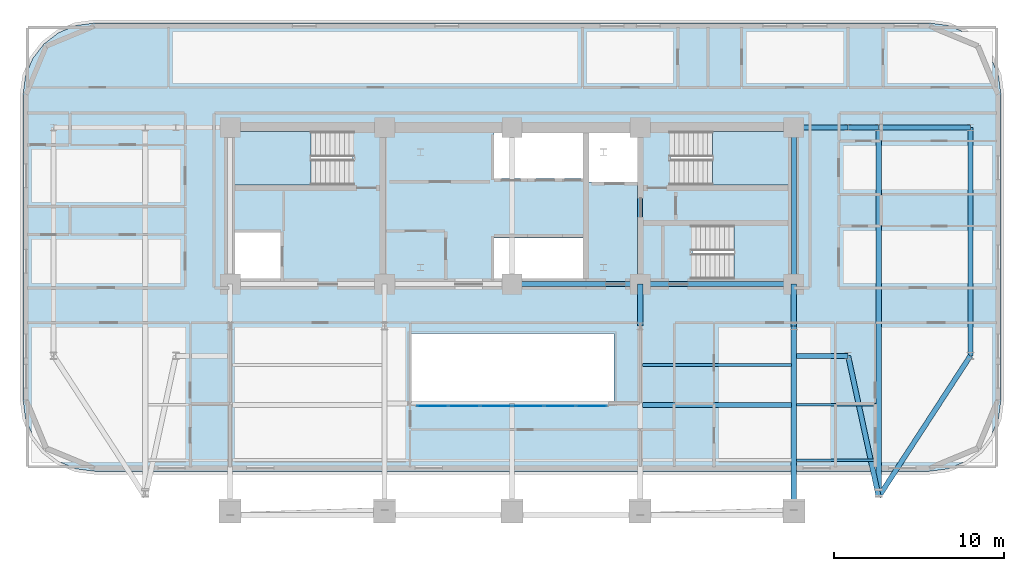
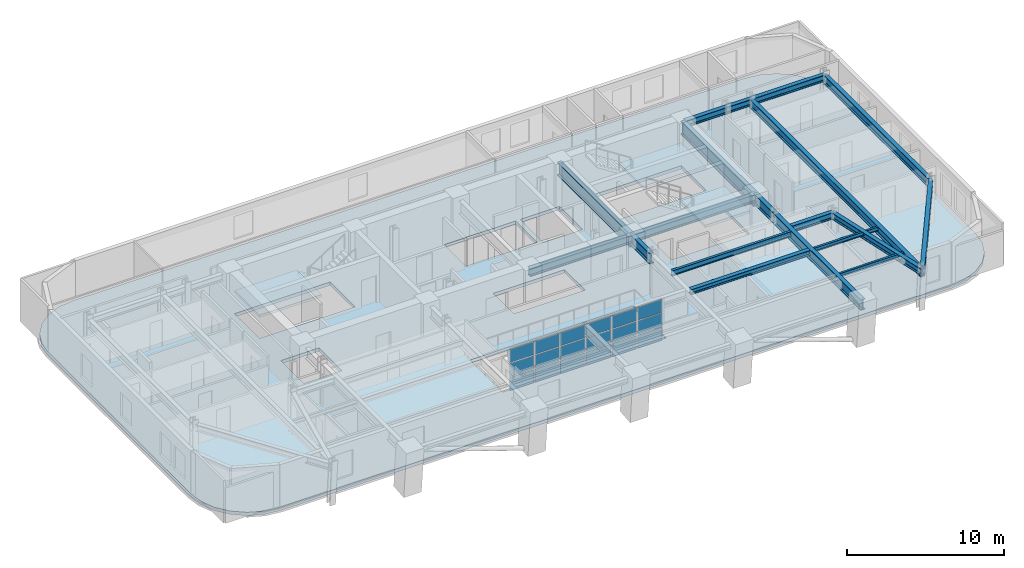
# One storey, part 5 of 14: 19 beams, 18 plates, 4 slabs, 4 elements without a shape of their own.
"""IFC4 building model written with IfcOpenShell, lengths in metres."""

import ifcopenshell
import ifcopenshell.guid

model = None  # the IFC model being written
_history = None  # IfcOwnerHistory: only IFC2X3 demands one
_inside = {}  # id of a spatial element -> (the spatial element, [elements in it])
_under = {}  # id of a project, library or spatial element -> (it, [spatial elements below it])
_declared = {}  # id of a project -> (the project, [libraries it declares])
_typed = {}  # id of a type object -> (the type object, [elements of that type])
_made_of = {}  # id of a material, layer set ... -> (it, [elements and type objects made of it])


def new_model(schema):
    """Start an empty IFC model of exactly this schema.

    Asked for "IFC4X3", IfcOpenShell would pick the latest addendum, in which some entities
    have other attributes; the version numbers below select the first issue.
    IFC2X3 requires an IfcOwnerHistory on every rooted entity: one is made here for all.
    """
    global model, _history
    if schema == "IFC4X3":
        model = ifcopenshell.file(schema_version=(4, 3, 0, 0))
    else:
        model = ifcopenshell.file(schema=schema)
    _inside.clear()
    _under.clear()
    _declared.clear()
    _typed.clear()
    _made_of.clear()
    _history = None
    if model.schema == "IFC2X3":
        org = make("IfcOrganization", Name="unknown")
        user = make(
            "IfcPersonAndOrganization",
            ThePerson=make("IfcPerson", FamilyName="unknown"),
            TheOrganization=org,
        )
        app = make(
            "IfcApplication",
            ApplicationDeveloper=org,
            Version="unknown",
            ApplicationFullName="unknown",
            ApplicationIdentifier="unknown",
        )
        _history = make(
            "IfcOwnerHistory",
            OwningUser=user,
            OwningApplication=app,
            ChangeAction="ADDED",
            CreationDate=0,
        )
    return model


def make(cls, **values):
    """One entity of the class cls with the attributes given. An attribute that is None is left unset."""
    return model.create_entity(
        cls, **{name: value for name, value in values.items() if value is not None}
    )


def rooted(cls, **values):
    """An entity with a GlobalId (a new one), such as an element, a storey or a relation."""
    return make(cls, GlobalId=ifcopenshell.guid.new(), OwnerHistory=_history, **values)


def si_unit(unit_type, name, prefix=None):
    """IfcSIUnit, for example si_unit("LENGTHUNIT", "METRE", prefix="MILLI")."""
    return make("IfcSIUnit", UnitType=unit_type, Prefix=prefix, Name=name)


def assignment(units):
    """IfcUnitAssignment: the units of a project."""
    return None if units is None else make("IfcUnitAssignment", Units=units)


def point(xyz):
    """IfcCartesianPoint."""
    return None if xyz is None else make("IfcCartesianPoint", Coordinates=xyz)


def direction(xyz):
    """IfcDirection."""
    return None if xyz is None else make("IfcDirection", DirectionRatios=xyz)


def frame(location, z_axis=None, x_axis=None):
    """IfcAxis2Placement3D, a coordinate frame: its origin and axes. An axis left out is left unset."""
    return make(
        "IfcAxis2Placement3D",
        Location=point(location),
        Axis=direction(z_axis),
        RefDirection=direction(x_axis),
    )


def frame_2d(location, x_axis=None):
    """IfcAxis2Placement2D, a coordinate frame in the plane: its origin and x axis."""
    return make(
        "IfcAxis2Placement2D", Location=point(location), RefDirection=direction(x_axis)
    )


def origin():
    """The frame at (0, 0, 0) with its axes left unset."""
    return frame((0.0, 0.0, 0.0))


def origin_2d():
    """The frame at (0, 0) in the plane with its x axis left unset."""
    return frame_2d((0.0, 0.0))


def place(relative_to, where):
    """IfcLocalPlacement: puts the frame where relative to a parent placement (None: the world)."""
    return make(
        "IfcLocalPlacement", PlacementRelTo=relative_to, RelativePlacement=where
    )


def context(
    kind, dimensions, precision=None, world=None, true_north=None, identifier=None
):
    """IfcGeometricRepresentationContext, for example the 3D "Model" context."""
    return make(
        "IfcGeometricRepresentationContext",
        ContextIdentifier=identifier,
        ContextType=kind,
        CoordinateSpaceDimension=dimensions,
        Precision=precision,
        WorldCoordinateSystem=world,
        TrueNorth=true_north,
    )


def subcontext(parent, identifier, kind, view, scale=None):
    """IfcGeometricRepresentationSubContext, for example "Body" below "Model"."""
    return make(
        "IfcGeometricRepresentationSubContext",
        ContextIdentifier=identifier,
        ContextType=kind,
        ParentContext=parent,
        TargetScale=scale,
        TargetView=view,
    )


def project(units=None, contexts=None):
    """IfcProject with its units and contexts."""
    return rooted(
        "IfcProject",
        Name="project",
        RepresentationContexts=contexts,
        UnitsInContext=assignment(units),
    )


def spatial(cls, under=None, at=None, **own):
    """A site, building, storey or space (cls), placed at a placement, below another one or the project."""
    s = rooted(cls, ObjectPlacement=at, **own)
    if under is not None:
        _under.setdefault(under.id(), (under, []))[1].append(s)
    return s


def polyline(points):
    """IfcPolyline through the points."""
    return make("IfcPolyline", Points=[point(p) for p in points])


def profile(cls, at=None, kind="AREA", **sizes):
    """A parametric profile (cls). Its sizes go by their IFC names, for example OverallWidth=200.0."""
    return make(cls, ProfileType=kind, Position=at, **sizes)


def rectangle(**sizes):
    """IfcRectangleProfileDef."""
    return profile("IfcRectangleProfileDef", **sizes)


def i_section(**sizes):
    """IfcIShapeProfileDef."""
    return profile("IfcIShapeProfileDef", **sizes)


def outline(outer, holes=None, kind="AREA"):
    """IfcArbitraryClosedProfileDef: a profile drawn as a closed curve; with holes, ...WithVoids."""
    if holes is None:
        return make("IfcArbitraryClosedProfileDef", ProfileType=kind, OuterCurve=outer)
    return make(
        "IfcArbitraryProfileDefWithVoids",
        ProfileType=kind,
        OuterCurve=outer,
        InnerCurves=holes,
    )


def extrude(swept, where, along, depth):
    """IfcExtrudedAreaSolid: the profile swept, set in the frame where, extruded along a direction by depth."""
    return make(
        "IfcExtrudedAreaSolid",
        SweptArea=swept,
        Position=where,
        ExtrudedDirection=direction(along),
        Depth=depth,
    )


def shape(context_of_items, identifier, shape_type, items):
    """IfcShapeRepresentation: the items that make up one representation, for example the "Body"."""
    return make(
        "IfcShapeRepresentation",
        ContextOfItems=context_of_items,
        RepresentationIdentifier=identifier,
        RepresentationType=shape_type,
        Items=items,
    )


def material(Name=None, Category=None):
    """IfcMaterial."""
    return make("IfcMaterial", Name=Name, Category=Category)


def layer(
    of_material, thickness, ventilated=None, Name=None, Category=None, Priority=None
):
    """IfcMaterialLayer: one layer of a wall or slab, of a material (None: an air gap)."""
    return make(
        "IfcMaterialLayer",
        Material=of_material,
        LayerThickness=thickness,
        IsVentilated=ventilated,
        Name=Name,
        Category=Category,
        Priority=Priority,
    )


def layer_set(layers, Name=None):
    """IfcMaterialLayerSet."""
    return make("IfcMaterialLayerSet", MaterialLayers=layers, LayerSetName=Name)


def material_profile(
    of_material, cross_section, Name=None, Category=None, Priority=None
):
    """IfcMaterialProfile: a cross section and its material."""
    return make(
        "IfcMaterialProfile",
        Name=Name,
        Material=of_material,
        Profile=cross_section,
        Priority=Priority,
        Category=Category,
    )


def profile_set(profiles, Name=None, composite=None):
    """IfcMaterialProfileSet."""
    return make(
        "IfcMaterialProfileSet",
        Name=Name,
        MaterialProfiles=profiles,
        CompositeProfile=composite,
    )


def made_of(thing, what):
    """Note that an element or type object is made of a material, layer set ...; save() writes the relation."""
    if what is not None:
        _made_of.setdefault(what.id(), (what, []))[1].append(thing)
    return thing


def type_object(cls, material=None, **own):
    """A type object (cls), such as IfcWallType, which elements share."""
    return made_of(rooted(cls, **own), material)


def element(
    cls,
    number,
    at=None,
    inside=None,
    cuts=None,
    type_object=None,
    material=None,
    context=None,
    identifier="Body",
    shape_type=None,
    held_by="IfcProductDefinitionShape",
    body=None,
    shapes=None,
    **own,
):
    """One element of the class cls, such as IfcWall. Its Tag is "e" and its number.

    at: its placement. inside: the storey or other place that contains it. cuts: it is an
    opening in that element (IfcRelVoidsElement). A single representation is given by context,
    identifier, shape_type and body (its items); several are given by shapes. held_by: the class
    of the entity that holds the representations. save() writes the other relations.
    """
    e = rooted(cls, Tag="e%d" % number, ObjectPlacement=at, **own)
    if body is not None:
        shapes = [shape(context, identifier, shape_type, body)]
    if shapes is not None:
        e.Representation = make(held_by, Representations=shapes)
    if inside is not None:
        _inside.setdefault(inside.id(), (inside, []))[1].append(e)
    if cuts is not None:
        rooted(
            "IfcRelVoidsElement", RelatingBuildingElement=cuts, RelatedOpeningElement=e
        )
    if type_object is not None:
        _typed.setdefault(type_object.id(), (type_object, []))[1].append(e)
    return made_of(e, material)


def aggregate(whole, parts):
    """IfcRelAggregates: a whole, such as a stair, and the parts it consists of."""
    return rooted("IfcRelAggregates", RelatingObject=whole, RelatedObjects=parts)


def save(model, path):
    """Write the relations noted so far, then the file.

    IfcRelAggregates (storeys below a building ...), IfcRelContainedInSpatialStructure (elements
    in a storey), IfcRelDefinesByType, IfcRelAssociatesMaterial and IfcRelDeclares: one each for
    every whole, place, type object, material and project.
    """
    for whole, parts in _under.values():
        aggregate(whole, parts)
    for where, things in _inside.values():
        rooted(
            "IfcRelContainedInSpatialStructure",
            RelatedElements=things,
            RelatingStructure=where,
        )
    for kind, things in _typed.values():
        rooted("IfcRelDefinesByType", RelatedObjects=things, RelatingType=kind)
    for what, things in _made_of.values():
        rooted("IfcRelAssociatesMaterial", RelatedObjects=things, RelatingMaterial=what)
    for by, libraries in _declared.values():
        rooted("IfcRelDeclares", RelatingContext=by, RelatedDefinitions=libraries)
    model.write(path)


model = new_model("IFC4")

# Units and contexts
model_context = context("Model", 3, precision=1e-05, world=origin(), true_north=direction((0.0, 1.0)))
body_context = subcontext(model_context, "Body", "Model", "MODEL_VIEW")
ifc_project = project(units=[si_unit("LENGTHUNIT", "METRE"), si_unit("AREAUNIT", "SQUARE_METRE"), si_unit("VOLUMEUNIT", "CUBIC_METRE"), si_unit("PLANEANGLEUNIT", "RADIAN"), si_unit("MASSUNIT", "GRAM", prefix="KILO")], contexts=[model_context])

# Site, building, storey
site_placement = place(None, origin())
site = spatial("IfcSite", under=ifc_project, at=site_placement, CompositionType="ELEMENT")
building_placement = place(site_placement, origin())
building = spatial("IfcBuilding", under=site, at=building_placement, Name="Zarnavel Station Tower", CompositionType="ELEMENT")
storey_placement = place(building_placement, frame((0.0, 0.0, 129.300048828125)))
storey = spatial("IfcBuildingStorey", under=building, at=storey_placement, Name="L35", CompositionType="ELEMENT", Elevation=129.300048828125)

# Beams
ifc_material_1 = material(Name="Steel S355J2", Category="steel")
ifc_material_profile_1 = material_profile(ifc_material_1, i_section(OverallWidth=0.300048828125, OverallDepth=0.389892578125, WebThickness=0.010986328125, FlangeThickness=0.01904296875, FilletRadius=0.027099609375, at=origin_2d()), Name="HEA400")
ifc_profile_set_1 = profile_set([ifc_material_profile_1], Name="Steel S355J2")
beam_type_1 = type_object("IfcBeamType", Name="FB_HEA400", PredefinedType="BEAM", material=ifc_profile_set_1)
beam_1_placement = place(storey_placement, frame((36.4951171875, 20.706787109375, 3.0849609375), z_axis=(1.0, 0.0, 0.0), x_axis=(0.0, 1.0, 0.0)))
element("IfcBeam", 1, at=beam_1_placement, inside=storey, type_object=beam_type_1, Name="L35 East Bay Beam 2", PredefinedType="BEAM", context=body_context, shape_type="SweptSolid", body=[
    extrude(i_section(OverallWidth=0.300048828125, OverallDepth=0.389892578125, WebThickness=0.010986328125, FlangeThickness=0.01904296875, FilletRadius=0.027099609375, at=origin_2d()), origin(), (0.0, 0.0, 1.0), 8.759765625),
])
ifc_material_2 = material(Name="Steel S355J2", Category="steel")
ifc_material_profile_2 = material_profile(ifc_material_2, i_section(OverallWidth=0.179931640625, OverallDepth=0.39990234375, WebThickness=0.008544921875, FlangeThickness=0.013427734375, FilletRadius=0.02099609375, at=origin_2d()), Name="IPE400")
ifc_profile_set_2 = profile_set([ifc_material_profile_2], Name="Steel S355J2")
beam_type_2 = type_object("IfcBeamType", Name="FB_IPE400", PredefinedType="BEAM", material=ifc_profile_set_2)
beam_2_placement = place(storey_placement, frame((36.4951171875, 23.053466796875, 3.079833984375), z_axis=(1.0, 0.0, 0.0), x_axis=(0.0, 1.0, 0.0)))
element("IfcBeam", 2, at=beam_2_placement, inside=storey, type_object=beam_type_2, Name="L35 East Bay Beam 3", PredefinedType="BEAM", context=body_context, shape_type="SweptSolid", body=[
    extrude(i_section(OverallWidth=0.179931640625, OverallDepth=0.39990234375, WebThickness=0.008544921875, FlangeThickness=0.013427734375, FilletRadius=0.02099609375, at=origin_2d()), origin(), (0.0, 0.0, 1.0), 8.759765625),
])
ifc_material_3 = material(Name="Steel S355J2", Category="steel")
ifc_material_profile_3 = material_profile(ifc_material_3, i_section(OverallWidth=0.300048828125, OverallDepth=0.5, WebThickness=0.014404296875, FlangeThickness=0.028076171875, FilletRadius=0.027099609375, at=origin_2d()), Name="HEB500")
ifc_profile_set_3 = profile_set([ifc_material_profile_3], Name="Steel S355J2")
beam_type_3 = type_object("IfcBeamType", Name="FG_HEB500", PredefinedType="USERDEFINED", material=ifc_profile_set_3)
for number, where, z_axis, x_axis, name in (
    (3, (45.544921875, 23.60009765625, 3.030029296875), (1.0, 0.0, 0.0), (0.0, 1.0, 0.0), "L35 East Wing South Tie 1"),
    (4, (45.544921875, 37.050048828125, 3.030029296875), (1.0, 0.0, 0.0), (0.0, 1.0, 0.0), "L35 East Wing North Tie 1"),
):
    element("IfcBeam", number, at=place(storey_placement, frame(where, z_axis=z_axis, x_axis=x_axis)), inside=storey, type_object=beam_type_3, Name=name, ObjectType="GIRDER", PredefinedType="USERDEFINED", context=body_context, shape_type="SweptSolid", body=[
        extrude(i_section(OverallWidth=0.300048828125, OverallDepth=0.5, WebThickness=0.014404296875, FlangeThickness=0.028076171875, FilletRadius=0.027099609375, at=origin_2d()), origin(), (0.0, 0.0, 1.0), 3.05517578125),
    ])
beam_3_placement = place(storey_placement, frame((48.60009765625, 23.60009765625, 3.030029296875), z_axis=(0.211870012881, -0.97729785513, 0.0), x_axis=(0.97729785513, 0.211870012881, 0.0)))
element("IfcBeam", 5, at=beam_3_placement, inside=storey, type_object=beam_type_3, Name="L35 East Wing South Tie 2", ObjectType="GIRDER", PredefinedType="USERDEFINED", context=body_context, shape_type="SweptSolid", body=[
    extrude(i_section(OverallWidth=0.300048828125, OverallDepth=0.5, WebThickness=0.014404296875, FlangeThickness=0.028076171875, FilletRadius=0.027099609375, at=origin_2d()), origin(), (0.0, 0.0, 1.0), 8.494873046875),
])
beam_4_placement = place(storey_placement, frame((48.60009765625, 37.050048828125, 3.030029296875), z_axis=(1.0, 0.0, 0.0), x_axis=(0.0, 1.0, 0.0)))
element("IfcBeam", 6, at=beam_4_placement, inside=storey, type_object=beam_type_3, Name="L35 East Wing North Tie 2", ObjectType="GIRDER", PredefinedType="USERDEFINED", context=body_context, shape_type="SweptSolid", body=[
    extrude(i_section(OverallWidth=0.300048828125, OverallDepth=0.5, WebThickness=0.014404296875, FlangeThickness=0.028076171875, FilletRadius=0.027099609375, at=origin_2d()), origin(), (0.0, 0.0, 1.0), 1.7998046875),
])
beam_5_placement = place(storey_placement, frame((50.39990234375, 15.298095703125, 3.030029296875), z_axis=(0.545261261877, 0.838266160773, 0.0), x_axis=(-0.838266160773, 0.545261261877, 0.0)))
element("IfcBeam", 7, at=beam_5_placement, inside=storey, type_object=beam_type_3, Name="L35 East Wing South Tie 3", ObjectType="GIRDER", PredefinedType="USERDEFINED", context=body_context, shape_type="SweptSolid", body=[
    extrude(i_section(OverallWidth=0.300048828125, OverallDepth=0.5, WebThickness=0.014404296875, FlangeThickness=0.028076171875, FilletRadius=0.027099609375, at=origin_2d()), origin(), (0.0, 0.0, 1.0), 9.90380859375),
])
beam_6_placement = place(storey_placement, frame((50.39990234375, 37.050048828125, 3.030029296875), z_axis=(1.0, 0.0, 0.0), x_axis=(0.0, 1.0, 0.0)))
element("IfcBeam", 8, at=beam_6_placement, inside=storey, type_object=beam_type_3, Name="L35 East Wing North Tie 3", ObjectType="GIRDER", PredefinedType="USERDEFINED", context=body_context, shape_type="SweptSolid", body=[
    extrude(i_section(OverallWidth=0.300048828125, OverallDepth=0.5, WebThickness=0.014404296875, FlangeThickness=0.028076171875, FilletRadius=0.027099609375, at=origin_2d()), origin(), (0.0, 0.0, 1.0), 5.400146484375),
])
ifc_material_4 = material(Name="Steel S355J2", Category="steel")
ifc_material_profile_4 = material_profile(ifc_material_4, i_section(OverallWidth=0.300048828125, OverallDepth=0.60009765625, WebThickness=0.015380859375, FlangeThickness=0.030029296875, FilletRadius=0.027099609375, at=origin_2d()), Name="HEB600")
ifc_profile_set_4 = profile_set([ifc_material_profile_4], Name="Steel S355J2")
beam_type_4 = type_object("IfcBeamType", Name="FG_HEB600", PredefinedType="USERDEFINED", material=ifc_profile_set_4)
beam_7_placement = place(storey_placement, frame((28.800048828125, 27.820068359375, 2.97998046875), z_axis=(1.0, 0.0, 0.0), x_axis=(0.0, 1.0, 0.0)))
element("IfcBeam", 9, at=beam_7_placement, inside=storey, type_object=beam_type_4, Name="L35 Core Front Coupling Beam 3", ObjectType="GIRDER", PredefinedType="USERDEFINED", context=body_context, shape_type="SweptSolid", body=[
    extrude(i_section(OverallWidth=0.300048828125, OverallDepth=0.60009765625, WebThickness=0.015380859375, FlangeThickness=0.030029296875, FilletRadius=0.027099609375, at=origin_2d()), origin(), (0.0, 0.0, 1.0), 7.550048828125),
])
beam_8_placement = place(storey_placement, frame((36.35009765625, 27.820068359375, 2.97998046875), z_axis=(1.0, 0.0, 0.0), x_axis=(0.0, 1.0, 0.0)))
element("IfcBeam", 10, at=beam_8_placement, inside=storey, type_object=beam_type_4, Name="L35 Core Front Coupling Beam 4", ObjectType="GIRDER", PredefinedType="USERDEFINED", context=body_context, shape_type="SweptSolid", body=[
    extrude(i_section(OverallWidth=0.300048828125, OverallDepth=0.60009765625, WebThickness=0.015380859375, FlangeThickness=0.030029296875, FilletRadius=0.027099609375, at=origin_2d()), origin(), (0.0, 0.0, 1.0), 9.0498046875),
])
ifc_material_5 = material(Name="Steel S355J2", Category="steel")
ifc_material_profile_5 = material_profile(ifc_material_5, i_section(OverallWidth=0.300048828125, OverallDepth=0.64990234375, WebThickness=0.01611328125, FlangeThickness=0.031005859375, FilletRadius=0.027099609375, at=origin_2d()), Name="HEB650")
ifc_profile_set_5 = profile_set([ifc_material_profile_5], Name="Steel S355J2")
beam_type_5 = type_object("IfcBeamType", Name="FG_HEB650", PredefinedType="USERDEFINED", material=ifc_profile_set_5)
beam_9_placement = place(storey_placement, frame((50.39990234375, 15.298095703125, 2.954833984375), z_axis=(0.0, 1.0, 0.0), x_axis=(-1.0, 0.0, 0.0)))
element("IfcBeam", 11, at=beam_9_placement, inside=storey, type_object=beam_type_5, Name="L35 Wing NS Girder 3", ObjectType="GIRDER", PredefinedType="USERDEFINED", context=body_context, shape_type="SweptSolid", body=[
    extrude(i_section(OverallWidth=0.300048828125, OverallDepth=0.64990234375, WebThickness=0.01611328125, FlangeThickness=0.031005859375, FilletRadius=0.027099609375, at=origin_2d()), origin(), (0.0, 0.0, 1.0), 21.751953125),
])
beam_10_placement = place(storey_placement, frame((55.800048828125, 23.60009765625, 2.954833984375), z_axis=(0.0, 1.0, 0.0), x_axis=(-1.0, 0.0, 0.0)))
element("IfcBeam", 12, at=beam_10_placement, inside=storey, type_object=beam_type_5, Name="L35 Wing NS Girder 4", ObjectType="GIRDER", PredefinedType="USERDEFINED", context=body_context, shape_type="SweptSolid", body=[
    extrude(i_section(OverallWidth=0.300048828125, OverallDepth=0.64990234375, WebThickness=0.01611328125, FlangeThickness=0.031005859375, FilletRadius=0.027099609375, at=origin_2d()), origin(), (0.0, 0.0, 1.0), 13.449951171875),
])
ifc_material_6 = material(Name="Steel S460M", Category="steel")
ifc_material_profile_6 = material_profile(ifc_material_6, i_section(OverallWidth=0.302978515625, OverallDepth=0.81396484375, WebThickness=0.02099609375, FlangeThickness=0.0400390625, FilletRadius=0.030029296875, at=origin_2d()), Name="HEM800")
ifc_profile_set_6 = profile_set([ifc_material_profile_6], Name="Steel S460M")
beam_type_6 = type_object("IfcBeamType", Name="FG_HEM800", PredefinedType="USERDEFINED", material=ifc_profile_set_6)
beam_11_placement = place(storey_placement, frame((36.35009765625, 25.35009765625, 2.873046875), z_axis=(0.0, 1.0, 0.0), x_axis=(-1.0, 0.0, 0.0)))
element("IfcBeam", 13, at=beam_11_placement, inside=storey, type_object=beam_type_6, Name="L35 Inner-Zone NS Girder 4", ObjectType="GIRDER", PredefinedType="USERDEFINED", context=body_context, shape_type="SweptSolid", body=[
    extrude(i_section(OverallWidth=0.302978515625, OverallDepth=0.81396484375, WebThickness=0.02099609375, FlangeThickness=0.0400390625, FilletRadius=0.030029296875, at=origin_2d()), origin(), (0.0, 0.0, 1.0), 2.469970703125),
])
beam_12_placement = place(storey_placement, frame((45.39990234375, 14.213623046875, 2.873046875), z_axis=(0.0, 1.0, 0.0), x_axis=(-1.0, 0.0, 0.0)))
element("IfcBeam", 14, at=beam_12_placement, inside=storey, type_object=beam_type_6, Name="L35 South-Zone NS Girder 5", ObjectType="GIRDER", PredefinedType="USERDEFINED", context=body_context, shape_type="SweptSolid", body=[
    extrude(i_section(OverallWidth=0.302978515625, OverallDepth=0.81396484375, WebThickness=0.02099609375, FlangeThickness=0.0400390625, FilletRadius=0.030029296875, at=origin_2d()), origin(), (0.0, 0.0, 1.0), 11.136474609375),
])
beam_13_placement = place(storey_placement, frame((45.39990234375, 25.35009765625, 2.873046875), z_axis=(0.0, 1.0, 0.0), x_axis=(-1.0, 0.0, 0.0)))
element("IfcBeam", 15, at=beam_13_placement, inside=storey, type_object=beam_type_6, Name="L35 Inner-Zone NS Girder 5", ObjectType="GIRDER", PredefinedType="USERDEFINED", context=body_context, shape_type="SweptSolid", body=[
    extrude(i_section(OverallWidth=0.302978515625, OverallDepth=0.81396484375, WebThickness=0.02099609375, FlangeThickness=0.0400390625, FilletRadius=0.030029296875, at=origin_2d()), origin(), (0.0, 0.0, 1.0), 2.469970703125),
])
ifc_material_7 = material(Name="Steel S355J2", Category="steel")
ifc_material_profile_7 = material_profile(ifc_material_7, i_section(OverallWidth=0.14990234375, OverallDepth=0.300048828125, WebThickness=0.007080078125, FlangeThickness=0.0107421875, FilletRadius=0.014892578125, at=origin_2d()), Name="IPE300")
ifc_profile_set_7 = profile_set([ifc_material_profile_7], Name="Steel S355J2")
beam_type_7 = type_object("IfcBeamType", Name="FJ_IPE300", PredefinedType="JOIST", material=ifc_profile_set_7)
for number, where, z_axis, x_axis, name in (
    (16, (45.544921875, 17.460205078125, 3.1298828125), (1.0, 0.0, 0.0), (0.0, 1.0, 0.0), "L35 East Wing Joist 1"),
    (17, (45.544921875, 20.706787109375, 3.1298828125), (1.0, 0.0, 0.0), (0.0, 1.0, 0.0), "L35 East Wing Joist 2"),
):
    element("IfcBeam", number, at=place(storey_placement, frame(where, z_axis=z_axis, x_axis=x_axis)), inside=storey, type_object=beam_type_7, Name=name, PredefinedType="JOIST", context=body_context, shape_type="SweptSolid", body=[
        extrude(i_section(OverallWidth=0.14990234375, OverallDepth=0.300048828125, WebThickness=0.007080078125, FlangeThickness=0.0107421875, FilletRadius=0.014892578125, at=origin_2d()), origin(), (0.0, 0.0, 1.0), 4.7099609375),
    ])
ifc_material_8 = material(Name="Steel S460M", Category="steel")
ifc_material_profile_8 = material_profile(ifc_material_8, i_section(OverallWidth=0.302001953125, OverallDepth=1.008056640625, WebThickness=0.02099609375, FlangeThickness=0.0400390625, FilletRadius=0.030029296875, at=origin_2d()), Name="HEM1000")
ifc_profile_set_8 = profile_set([ifc_material_profile_8], Name="Steel S460M")
beam_type_8 = type_object("IfcBeamType", Name="TG_HEM1000", PredefinedType="USERDEFINED", material=ifc_profile_set_8)
for number, where, z_axis, x_axis, name in (
    (18, (36.35009765625, 27.820068359375, 2.77587890625), (0.0, 1.0, 0.0), (-1.0, 0.0, 0.0), "L35 Core Spine Coupling Girder 4"),
    (19, (45.39990234375, 27.820068359375, 2.77587890625), (0.0, 1.0, 0.0), (-1.0, 0.0, 0.0), "L35 Core Spine Coupling Girder 5"),
):
    element("IfcBeam", number, at=place(storey_placement, frame(where, z_axis=z_axis, x_axis=x_axis)), inside=storey, type_object=beam_type_8, Name=name, ObjectType="GIRDER", PredefinedType="USERDEFINED", context=body_context, shape_type="SweptSolid", body=[
        extrude(i_section(OverallWidth=0.302001953125, OverallDepth=1.008056640625, WebThickness=0.02099609375, FlangeThickness=0.0400390625, FilletRadius=0.030029296875, at=origin_2d()), origin(), (0.0, 0.0, 1.0), 9.22998046875),
    ])

# Curtain wall, plates
ifc_material_9 = material(Name="Aluminium Dark Anodised and Solar-Control Glass", Category="aluminium")
ifc_layer_1 = layer(ifc_material_9, 0.179931640625)
ifc_layer_set_1 = layer_set([ifc_layer_1], Name="CWS3")
curtain_wall_type = type_object("IfcCurtainWallType", Name="CWS3", PredefinedType="NOTDEFINED", material=ifc_layer_set_1)
curtain_wall_placement = place(storey_placement, origin())
curtain_wall = element("IfcCurtainWall", 20, at=curtain_wall_placement, inside=storey, type_object=curtain_wall_type, Name="L35 Curtain Wall CWS3-L35-AS", PredefinedType="NOTDEFINED")
ifc_material_10 = material(Name="Double Low-E Dark Solar-Control Glass", Category="glass")
ifc_layer_2 = layer(ifc_material_10, 0.030029296875)
ifc_layer_set_2 = layer_set([ifc_layer_2], Name="CWS3_PNL")
plate_type = type_object("IfcPlateType", Name="CWS3_PNL", PredefinedType="CURTAIN_PANEL", material=ifc_layer_set_2)
plate_1_placement = place(storey_placement, frame((24.106689453125, 20.64990234375, 0.059814453125), z_axis=(0.0, 0.0, 1.0), x_axis=(1.0, 0.0, 0.0)))
plate_1 = element("IfcPlate", 21, at=plate_1_placement, type_object=plate_type, Name="CW3 panel 1.1", PredefinedType="CURTAIN_PANEL", context=body_context, shape_type="SweptSolid", body=[
    extrude(rectangle(XDim=1.793212890625, YDim=0.028076171875, at=origin_2d()), origin(), (0.0, 0.0, 1.0), 1.00341796875),
])
plate_2_placement = place(storey_placement, frame((24.106689453125, 20.64990234375, 1.123046875), z_axis=(0.0, 0.0, 1.0), x_axis=(1.0, 0.0, 0.0)))
plate_2 = element("IfcPlate", 22, at=plate_2_placement, type_object=plate_type, Name="CW3 panel 1.2", PredefinedType="CURTAIN_PANEL", context=body_context, shape_type="SweptSolid", body=[
    extrude(rectangle(XDim=1.793212890625, YDim=0.028076171875, at=origin_2d()), origin(), (0.0, 0.0, 1.0), 1.033447265625),
])
plate_3_placement = place(storey_placement, frame((24.106689453125, 20.64990234375, 2.216552734375), z_axis=(0.0, 0.0, 1.0), x_axis=(1.0, 0.0, 0.0)))
plate_3 = element("IfcPlate", 23, at=plate_3_placement, type_object=plate_type, Name="CW3 panel 1.3", PredefinedType="CURTAIN_PANEL", context=body_context, shape_type="SweptSolid", body=[
    extrude(rectangle(XDim=1.793212890625, YDim=0.028076171875, at=origin_2d()), origin(), (0.0, 0.0, 1.0), 1.00341796875),
])
plate_4_placement = place(storey_placement, frame((25.97509765625, 20.64990234375, 0.059814453125), z_axis=(0.0, 0.0, 1.0), x_axis=(1.0, 0.0, 0.0)))
plate_4 = element("IfcPlate", 24, at=plate_4_placement, type_object=plate_type, Name="CW3 panel 2.1", PredefinedType="CURTAIN_PANEL", context=body_context, shape_type="SweptSolid", body=[
    extrude(rectangle(XDim=1.8232421875, YDim=0.028076171875, at=origin_2d()), origin(), (0.0, 0.0, 1.0), 1.00341796875),
])
plate_5_placement = place(storey_placement, frame((25.97509765625, 20.64990234375, 1.123046875), z_axis=(0.0, 0.0, 1.0), x_axis=(1.0, 0.0, 0.0)))
plate_5 = element("IfcPlate", 25, at=plate_5_placement, type_object=plate_type, Name="CW3 panel 2.2", PredefinedType="CURTAIN_PANEL", context=body_context, shape_type="SweptSolid", body=[
    extrude(rectangle(XDim=1.8232421875, YDim=0.028076171875, at=origin_2d()), origin(), (0.0, 0.0, 1.0), 1.033447265625),
])
plate_6_placement = place(storey_placement, frame((25.97509765625, 20.64990234375, 2.216552734375), z_axis=(0.0, 0.0, 1.0), x_axis=(1.0, 0.0, 0.0)))
plate_6 = element("IfcPlate", 26, at=plate_6_placement, type_object=plate_type, Name="CW3 panel 2.3", PredefinedType="CURTAIN_PANEL", context=body_context, shape_type="SweptSolid", body=[
    extrude(rectangle(XDim=1.8232421875, YDim=0.028076171875, at=origin_2d()), origin(), (0.0, 0.0, 1.0), 1.00341796875),
])
plate_7_placement = place(storey_placement, frame((27.8583984375, 20.64990234375, 0.059814453125), z_axis=(0.0, 0.0, 1.0), x_axis=(1.0, 0.0, 0.0)))
plate_7 = element("IfcPlate", 27, at=plate_7_placement, type_object=plate_type, Name="CW3 panel 3.1", PredefinedType="CURTAIN_PANEL", context=body_context, shape_type="SweptSolid", body=[
    extrude(rectangle(XDim=1.8232421875, YDim=0.028076171875, at=origin_2d()), origin(), (0.0, 0.0, 1.0), 1.00341796875),
])
plate_8_placement = place(storey_placement, frame((27.8583984375, 20.64990234375, 1.123046875), z_axis=(0.0, 0.0, 1.0), x_axis=(1.0, 0.0, 0.0)))
plate_8 = element("IfcPlate", 28, at=plate_8_placement, type_object=plate_type, Name="CW3 panel 3.2", PredefinedType="CURTAIN_PANEL", context=body_context, shape_type="SweptSolid", body=[
    extrude(rectangle(XDim=1.8232421875, YDim=0.028076171875, at=origin_2d()), origin(), (0.0, 0.0, 1.0), 1.033447265625),
])
plate_9_placement = place(storey_placement, frame((27.8583984375, 20.64990234375, 2.216552734375), z_axis=(0.0, 0.0, 1.0), x_axis=(1.0, 0.0, 0.0)))
plate_9 = element("IfcPlate", 29, at=plate_9_placement, type_object=plate_type, Name="CW3 panel 3.3", PredefinedType="CURTAIN_PANEL", context=body_context, shape_type="SweptSolid", body=[
    extrude(rectangle(XDim=1.8232421875, YDim=0.028076171875, at=origin_2d()), origin(), (0.0, 0.0, 1.0), 1.00341796875),
])
plate_10_placement = place(storey_placement, frame((29.74169921875, 20.64990234375, 0.059814453125), z_axis=(0.0, 0.0, 1.0), x_axis=(1.0, 0.0, 0.0)))
plate_10 = element("IfcPlate", 30, at=plate_10_placement, type_object=plate_type, Name="CW3 panel 4.1", PredefinedType="CURTAIN_PANEL", context=body_context, shape_type="SweptSolid", body=[
    extrude(rectangle(XDim=1.8232421875, YDim=0.028076171875, at=origin_2d()), origin(), (0.0, 0.0, 1.0), 1.00341796875),
])
plate_11_placement = place(storey_placement, frame((29.74169921875, 20.64990234375, 1.123046875), z_axis=(0.0, 0.0, 1.0), x_axis=(1.0, 0.0, 0.0)))
plate_11 = element("IfcPlate", 31, at=plate_11_placement, type_object=plate_type, Name="CW3 panel 4.2", PredefinedType="CURTAIN_PANEL", context=body_context, shape_type="SweptSolid", body=[
    extrude(rectangle(XDim=1.8232421875, YDim=0.028076171875, at=origin_2d()), origin(), (0.0, 0.0, 1.0), 1.033447265625),
])
plate_12_placement = place(storey_placement, frame((29.74169921875, 20.64990234375, 2.216552734375), z_axis=(0.0, 0.0, 1.0), x_axis=(1.0, 0.0, 0.0)))
plate_12 = element("IfcPlate", 32, at=plate_12_placement, type_object=plate_type, Name="CW3 panel 4.3", PredefinedType="CURTAIN_PANEL", context=body_context, shape_type="SweptSolid", body=[
    extrude(rectangle(XDim=1.8232421875, YDim=0.028076171875, at=origin_2d()), origin(), (0.0, 0.0, 1.0), 1.00341796875),
])
plate_13_placement = place(storey_placement, frame((31.625, 20.64990234375, 0.059814453125), z_axis=(0.0, 0.0, 1.0), x_axis=(1.0, 0.0, 0.0)))
plate_13 = element("IfcPlate", 33, at=plate_13_placement, type_object=plate_type, Name="CW3 panel 5.1", PredefinedType="CURTAIN_PANEL", context=body_context, shape_type="SweptSolid", body=[
    extrude(rectangle(XDim=1.8232421875, YDim=0.028076171875, at=origin_2d()), origin(), (0.0, 0.0, 1.0), 1.00341796875),
])
plate_14_placement = place(storey_placement, frame((31.625, 20.64990234375, 1.123046875), z_axis=(0.0, 0.0, 1.0), x_axis=(1.0, 0.0, 0.0)))
plate_14 = element("IfcPlate", 34, at=plate_14_placement, type_object=plate_type, Name="CW3 panel 5.2", PredefinedType="CURTAIN_PANEL", context=body_context, shape_type="SweptSolid", body=[
    extrude(rectangle(XDim=1.8232421875, YDim=0.028076171875, at=origin_2d()), origin(), (0.0, 0.0, 1.0), 1.033447265625),
])
plate_15_placement = place(storey_placement, frame((31.625, 20.64990234375, 2.216552734375), z_axis=(0.0, 0.0, 1.0), x_axis=(1.0, 0.0, 0.0)))
plate_15 = element("IfcPlate", 35, at=plate_15_placement, type_object=plate_type, Name="CW3 panel 5.3", PredefinedType="CURTAIN_PANEL", context=body_context, shape_type="SweptSolid", body=[
    extrude(rectangle(XDim=1.8232421875, YDim=0.028076171875, at=origin_2d()), origin(), (0.0, 0.0, 1.0), 1.00341796875),
])
plate_16_placement = place(storey_placement, frame((33.493408203125, 20.64990234375, 0.059814453125), z_axis=(0.0, 0.0, 1.0), x_axis=(1.0, 0.0, 0.0)))
plate_16 = element("IfcPlate", 36, at=plate_16_placement, type_object=plate_type, Name="CW3 panel 6.1", PredefinedType="CURTAIN_PANEL", context=body_context, shape_type="SweptSolid", body=[
    extrude(rectangle(XDim=1.793212890625, YDim=0.028076171875, at=origin_2d()), origin(), (0.0, 0.0, 1.0), 1.00341796875),
])
plate_17_placement = place(storey_placement, frame((33.493408203125, 20.64990234375, 1.123046875), z_axis=(0.0, 0.0, 1.0), x_axis=(1.0, 0.0, 0.0)))
plate_17 = element("IfcPlate", 37, at=plate_17_placement, type_object=plate_type, Name="CW3 panel 6.2", PredefinedType="CURTAIN_PANEL", context=body_context, shape_type="SweptSolid", body=[
    extrude(rectangle(XDim=1.793212890625, YDim=0.028076171875, at=origin_2d()), origin(), (0.0, 0.0, 1.0), 1.033447265625),
])
plate_18_placement = place(storey_placement, frame((33.493408203125, 20.64990234375, 2.216552734375), z_axis=(0.0, 0.0, 1.0), x_axis=(1.0, 0.0, 0.0)))
plate_18 = element("IfcPlate", 38, at=plate_18_placement, type_object=plate_type, Name="CW3 panel 6.3", PredefinedType="CURTAIN_PANEL", context=body_context, shape_type="SweptSolid", body=[
    extrude(rectangle(XDim=1.793212890625, YDim=0.028076171875, at=origin_2d()), origin(), (0.0, 0.0, 1.0), 1.00341796875),
])
aggregate(curtain_wall, [plate_1, plate_2, plate_3, plate_4, plate_5, plate_6, plate_7, plate_8, plate_9, plate_10, plate_11, plate_12, plate_13, plate_14, plate_15, plate_16, plate_17, plate_18])

# Slab
ifc_material_11 = material(Name="Concrete C45/55", Category="concrete")
ifc_layer_3 = layer(ifc_material_11, 0.260009765625)
ifc_layer_set_3 = layer_set([ifc_layer_3], Name="SL_FLR_260")
slab_type_1 = type_object("IfcSlabType", Name="SL_FLR_260", PredefinedType="FLOOR", material=ifc_layer_set_3)
slab_1_placement = place(storey_placement, frame((0.0, 0.0, -0.260009765625)))
element("IfcSlab", 39, at=slab_1_placement, inside=storey, type_object=slab_type_1, Name="L35 Structural Floor Slab", PredefinedType="FLOOR", context=body_context, shape_type="SweptSolid", body=[
    extrude(outline(polyline([(53.39990234375, 16.800048828125), (54.487060546875, 16.943115234375), (55.5, 17.36279296875), (56.369873046875, 18.0302734375), (57.037353515625, 18.89990234375), (57.456787109375, 19.9130859375), (57.60009765625, 21.0), (57.60009765625, 39.0), (57.456787109375, 40.0869140625), (57.037353515625, 41.10009765625), (56.369873046875, 41.9697265625), (55.5, 42.63720703125), (54.487060546875, 43.056884765625), (53.39990234375, 43.199951171875), (4.199951171875, 43.199951171875), (3.113037109375, 43.056884765625), (2.10009765625, 42.63720703125), (1.230224609375, 41.9697265625), (0.562744140625, 41.10009765625), (0.14306640625, 40.0869140625), (0.0, 39.0), (0.0, 21.0), (0.14306640625, 19.9130859375), (0.562744140625, 18.89990234375), (1.230224609375, 18.0302734375), (2.10009765625, 17.36279296875), (3.113037109375, 16.943115234375), (4.199951171875, 16.800048828125), (53.39990234375, 16.800048828125)]), holes=[polyline([(12.39990234375, 33.659912109375), (19.409912109375, 33.659912109375), (19.409912109375, 36.820068359375), (12.39990234375, 36.820068359375), (12.39990234375, 33.659912109375)]), polyline([(38.14990234375, 33.659912109375), (45.159912109375, 33.659912109375), (45.159912109375, 36.820068359375), (38.14990234375, 36.820068359375), (38.14990234375, 33.659912109375)]), polyline([(39.419921875, 28.1201171875), (45.14990234375, 28.1201171875), (45.14990234375, 31.280029296875), (39.419921875, 31.280029296875), (39.419921875, 28.1201171875)]), polyline([(12.35009765625, 27.949951171875), (15.14990234375, 27.949951171875), (15.14990234375, 30.85009765625), (12.35009765625, 30.85009765625), (12.35009765625, 27.949951171875)]), polyline([(33.320068359375, 33.85009765625), (36.2099609375, 33.85009765625), (36.2099609375, 36.780029296875), (33.320068359375, 36.780029296875), (33.320068359375, 33.85009765625)]), polyline([(27.75, 34.050048828125), (32.97998046875, 34.050048828125), (32.97998046875, 36.780029296875), (27.75, 36.780029296875), (27.75, 34.050048828125)]), polyline([(27.75, 27.949951171875), (32.97998046875, 27.949951171875), (32.97998046875, 30.550048828125), (27.75, 30.550048828125), (27.75, 27.949951171875)]), polyline([(22.800048828125, 20.800048828125), (34.800048828125, 20.800048828125), (34.800048828125, 24.89990234375), (22.800048828125, 24.89990234375), (22.800048828125, 20.800048828125)])]), origin(), (0.0, 0.0, 1.0), 0.260009765625),
])

# Stair, slab
ifc_material_12 = material(Name="Concrete C45/55", Category="concrete")
stair_type = type_object("IfcStairType", Name="ST_CORE_150", PredefinedType="HALF_TURN_STAIR", material=ifc_material_12)
stair_1_placement = place(storey_placement, origin())
stair_1 = element("IfcStair", 40, at=stair_1_placement, inside=storey, type_object=stair_type, Name="L35 Core Exit Stair ST1", PredefinedType="HALF_TURN_STAIR")
ifc_material_13 = material(Name="Concrete C45/55", Category="concrete")
ifc_layer_4 = layer(ifc_material_13, 0.199951171875)
ifc_layer_set_4 = layer_set([ifc_layer_4], Name="SL_STAIR_LAND_200")
slab_type_2 = type_object("IfcSlabType", Name="SL_STAIR_LAND_200", PredefinedType="LANDING", material=ifc_layer_set_4)
slab_2_placement = place(storey_placement, frame((0.0, 0.0, 1.599853515625)))
slab_2 = element("IfcSlab", 41, at=slab_2_placement, type_object=slab_type_2, Name="ST1 landing 1", PredefinedType="LANDING", context=body_context, shape_type="SweptSolid", body=[
    extrude(outline(polyline([(16.9599609375, 36.820068359375), (12.39990234375, 36.820068359375), (12.39990234375, 33.659912109375), (16.9599609375, 33.659912109375), (16.9599609375, 36.820068359375)])), origin(), (0.0, 0.0, 1.0), 0.2001953125),
])
aggregate(stair_1, [slab_2])

stair_2_placement = place(storey_placement, origin())
stair_2 = element("IfcStair", 42, at=stair_2_placement, inside=storey, type_object=stair_type, Name="L35 Core Exit Stair ST2", PredefinedType="HALF_TURN_STAIR")
slab_3_placement = place(storey_placement, frame((0.0, 0.0, 1.599853515625)))
slab_3 = element("IfcSlab", 43, at=slab_3_placement, type_object=slab_type_2, Name="ST2 landing 1", PredefinedType="LANDING", context=body_context, shape_type="SweptSolid", body=[
    extrude(outline(polyline([(40.60009765625, 33.659912109375), (45.159912109375, 33.659912109375), (45.159912109375, 36.820068359375), (40.60009765625, 36.820068359375), (40.60009765625, 33.659912109375)])), origin(), (0.0, 0.0, 1.0), 0.2001953125),
])
aggregate(stair_2, [slab_3])

stair_3_placement = place(storey_placement, origin())
stair_3 = element("IfcStair", 44, at=stair_3_placement, inside=storey, type_object=stair_type, Name="L35 Core Exit Stair ST3", PredefinedType="HALF_TURN_STAIR")
slab_4_placement = place(storey_placement, frame((0.0, 0.0, 1.599853515625)))
slab_4 = element("IfcSlab", 45, at=slab_4_placement, type_object=slab_type_2, Name="ST3 landing 1", PredefinedType="LANDING", context=body_context, shape_type="SweptSolid", body=[
    extrude(outline(polyline([(41.8701171875, 28.1201171875), (45.14990234375, 28.1201171875), (45.14990234375, 31.280029296875), (41.8701171875, 31.280029296875), (41.8701171875, 28.1201171875)])), origin(), (0.0, 0.0, 1.0), 0.2001953125),
])
aggregate(stair_3, [slab_4])

save(model, "model.ifc")
